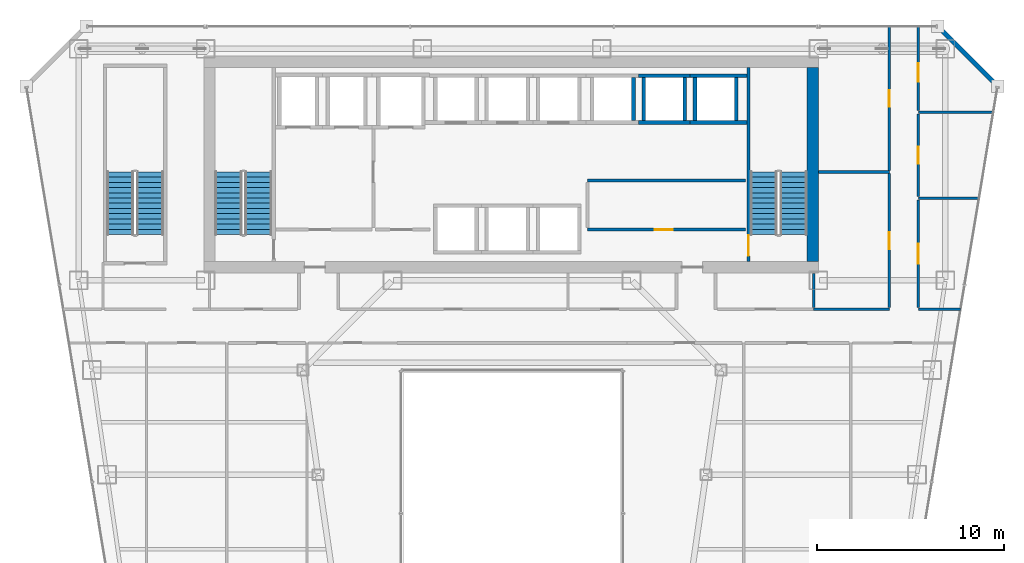
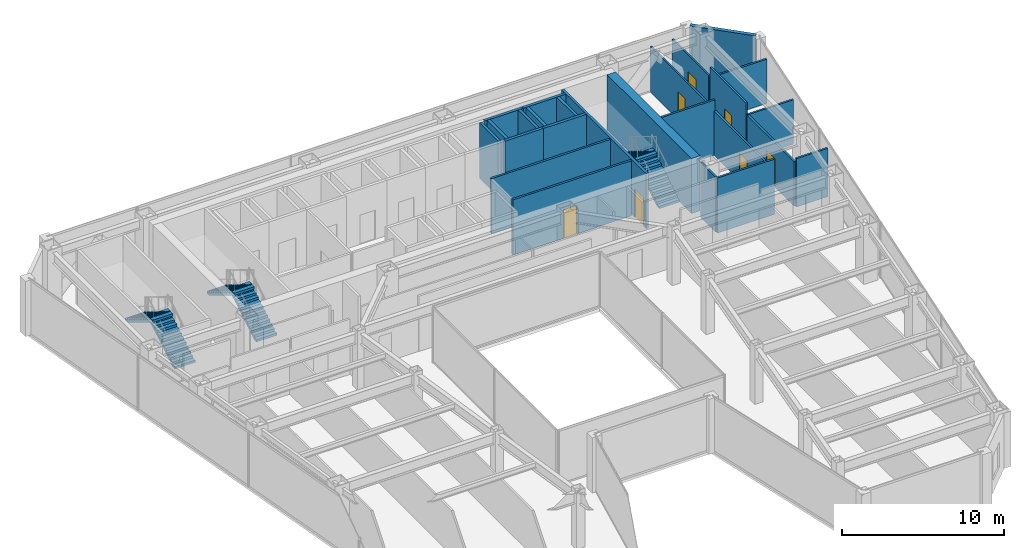
# One storey, part 34 of 37: 25 walls, 7 doors, 6 stair flights, 7 openings, 3 elements without a shape of their own.
"""IFC4 building model written with IfcOpenShell, lengths in metres."""

from ifc_helpers import new_model, si_unit, direction, frame, frame_2d, origin, place, context, subcontext, project, spatial, polyline, rectangle, outline, extrude, material, layer, layer_set, type_object, element, fill, aggregate, save


model = new_model("IFC4")

# Units and contexts
model_context = context("Model", 3, precision=1e-05, world=origin(), true_north=direction((0.0, 1.0)))
body_context = subcontext(model_context, "Body", "Model", "MODEL_VIEW")
ifc_project = project(units=[si_unit("LENGTHUNIT", "METRE"), si_unit("AREAUNIT", "SQUARE_METRE"), si_unit("VOLUMEUNIT", "CUBIC_METRE"), si_unit("PLANEANGLEUNIT", "RADIAN"), si_unit("MASSUNIT", "GRAM", prefix="KILO")], contexts=[model_context])

# Site, building, storey
site_placement = place(None, origin())
site = spatial("IfcSite", under=ifc_project, at=site_placement, CompositionType="ELEMENT")
building_placement = place(site_placement, origin())
building = spatial("IfcBuilding", under=site, at=building_placement, Name="Saevonmaru Cultural Tower", CompositionType="ELEMENT")
storey_placement = place(building_placement, frame((0.0, 0.0, 114.800048828125)))
storey = spatial("IfcBuildingStorey", under=building, at=storey_placement, Name="L24", CompositionType="ELEMENT", Elevation=114.800048828125)

# Wall
ifc_material_1 = material(Name="Concrete C60/75", Category="concrete")
ifc_layer_1 = layer(ifc_material_1, 0.60009765625, Name="Concrete C60/75")
ifc_layer_set_1 = layer_set([ifc_layer_1], Name="Concrete C60/75")
wall_type_1 = type_object("IfcWallType", Name="WL-CORE-600", PredefinedType="SHEAR", material=ifc_layer_set_1)
wall_1_placement = place(storey_placement, frame((46.10009765625, 43.39990234375, 0.0), z_axis=(0.0, 0.0, 1.0), x_axis=(0.0, 1.0, 0.0)))
element("IfcWall", 1, at=wall_1_placement, inside=storey, type_object=wall_type_1, Name="L24 Tower RC core shear wall E", PredefinedType="SHEAR", context=body_context, shape_type="SweptSolid", body=[
    extrude(rectangle(XDim=10.400146484375, YDim=0.60009765625, at=frame_2d((5.2001953125, 0.0))), origin(), (0.0, 0.0, 1.0), 4.14990234375),
])

# Wall, opening, door
ifc_material_2 = material(Name="Gypsum Fireboard Partition", Category="gypsum")
ifc_layer_2 = layer(ifc_material_2, 0.14990234375, Name="Gypsum Fireboard Partition")
ifc_layer_set_2 = layer_set([ifc_layer_2], Name="Gypsum Fireboard Partition")
wall_type_2 = type_object("IfcWallType", Name="WL-CORE-PART-150", PredefinedType="PARTITIONING", material=ifc_layer_set_2)
wall_2_placement = place(storey_placement, frame((34.050048828125, 45.1201171875, 0.0), z_axis=(0.0, 0.0, 1.0), x_axis=(1.0, 0.0, 0.0)))
wall_2 = element("IfcWall", 2, at=wall_2_placement, inside=storey, type_object=wall_type_2, Name="L24 Core Service South Wall", PredefinedType="PARTITIONING", context=body_context, shape_type="SweptSolid", body=[
    extrude(rectangle(XDim=8.449951171875, YDim=0.14990234375, at=frame_2d((4.22509765625, 0.0))), origin(), (0.0, 0.0, 1.0), 4.14990234375),
])
opening_1_placement = place(wall_2_placement, frame((3.60009765625, 0.0, 0.0)))
opening_1 = element("IfcOpeningElement", 3, at=opening_1_placement, cuts=wall_2, Name="Opening FD-4", PredefinedType="OPENING", context=body_context, shape_type="SweptSolid", body=[
    extrude(rectangle(XDim=0.949951171875, YDim=2.14990234375, at=frame_2d((0.47509765625, 1.074951171875))), frame((0.0, 0.0849609375, 0.0), z_axis=(0.0, -1.0, 0.0), x_axis=(1.0, 0.0, 0.0)), (0.0, 0.0, 1.0), 0.169921875),
])
ifc_material_3 = material(Name="Satin Bronze Anodised Aluminium", Category="aluminium")
door_type_1 = type_object("IfcDoorType", Name="DR-FD60-950", OperationType="SINGLE_SWING_LEFT", PredefinedType="DOOR", material=ifc_material_3)
door_1_placement = place(opening_1_placement, origin())
door_1 = element("IfcDoor", 4, at=door_1_placement, inside=storey, type_object=door_type_1, Name="L24 Telecom Riser Plant Door", OperationType="SINGLE_SWING_LEFT", OverallHeight=2.14990234375, OverallWidth=0.949951171875, PredefinedType="DOOR", context=body_context, shape_type="SweptSolid", body=[
    extrude(rectangle(XDim=0.949951171875, YDim=2.14990234375, at=frame_2d((0.47509765625, 1.074951171875))), frame((0.0, 0.02490234375, 0.0), z_axis=(0.0, -1.0, 0.0), x_axis=(1.0, 0.0, 0.0)), (0.0, 0.0, 1.0), 0.050048828125),
])
fill(opening_1, door_1)

# Walls
wall_3_placement = place(storey_placement, frame((34.050048828125, 47.75, 0.0), z_axis=(0.0, 0.0, 1.0), x_axis=(1.0, 0.0, 0.0)))
element("IfcWall", 5, at=wall_3_placement, inside=storey, type_object=wall_type_2, Name="L24 Core Service North Wall", PredefinedType="PARTITIONING", context=body_context, shape_type="SweptSolid", body=[
    extrude(rectangle(XDim=8.449951171875, YDim=0.14990234375, at=frame_2d((4.22509765625, 0.0))), origin(), (0.0, 0.0, 1.0), 4.14990234375),
])
ifc_material_4 = material(Name="Granite-Clad Precast Concrete C40/50", Category="masonry")
ifc_layer_3 = layer(ifc_material_4, 0.260009765625, Name="Granite-Clad Precast Concrete C40/50")
ifc_layer_set_3 = layer_set([ifc_layer_3], Name="Granite-Clad Precast Concrete C40/50")
wall_type_3 = type_object("IfcWallType", Name="WL-EXT-SPANDREL-260", PredefinedType="STANDARD", material=ifc_layer_set_3)
wall_4_placement = place(storey_placement, frame((55.886962890625, 52.9130859375, 0.0), z_axis=(0.0, 0.0, 1.0), x_axis=(-0.707106781187, 0.707106781187, 0.0)))
element("IfcWall", 6, at=wall_4_placement, inside=storey, type_object=wall_type_3, Name="L24 Chamfer Corner Spandrel Wall E9", PredefinedType="STANDARD", context=body_context, shape_type="SweptSolid", body=[
    extrude(rectangle(XDim=4.205810546875, YDim=0.260009765625, at=frame_2d((2.10302734375, 0.0))), origin(), (0.0, 0.0, 1.0), 4.14990234375),
])

# Wall, opening, door
ifc_layer_4 = layer(ifc_material_2, 0.14990234375, Name="Gypsum Fireboard Partition")
ifc_layer_set_4 = layer_set([ifc_layer_4], Name="Gypsum Fireboard Partition")
wall_type_4 = type_object("IfcWallType", Name="WL-PART-FIRE-150", PredefinedType="PARTITIONING", material=ifc_layer_set_4)
wall_5_placement = place(storey_placement, frame((51.75, 40.9375, 0.0), z_axis=(0.0, 0.0, 1.0), x_axis=(0.0, 1.0, 0.0)))
wall_5 = element("IfcWall", 7, at=wall_5_placement, inside=storey, type_object=wall_type_4, Name="L24 Contemporary Photography Gallery Corridor Wall", PredefinedType="PARTITIONING", context=body_context, shape_type="SweptSolid", body=[
    extrude(rectangle(XDim=5.77490234375, YDim=0.14990234375, at=frame_2d((2.887451171875, 0.0))), origin(), (0.0, 0.0, 1.0), 3.3349609375),
])
opening_2_placement = place(wall_5_placement, frame((2.362060546875, 0.0, 0.0)))
opening_2 = element("IfcOpeningElement", 8, at=opening_2_placement, cuts=wall_5, Name="Opening ID-1", PredefinedType="OPENING", context=body_context, shape_type="SweptSolid", body=[
    extrude(rectangle(XDim=1.050048828125, YDim=2.14990234375, at=frame_2d((0.52490234375, 1.074951171875))), frame((0.0, 0.0849609375, 0.0), z_axis=(0.0, -1.0, 0.0), x_axis=(1.0, 0.0, 0.0)), (0.0, 0.0, 1.0), 0.169921875),
])
door_type_2 = type_object("IfcDoorType", Name="DR-INT-1050", OperationType="SINGLE_SWING_LEFT", PredefinedType="DOOR", material=ifc_material_3)
door_2_placement = place(opening_2_placement, origin())
door_2 = element("IfcDoor", 9, at=door_2_placement, inside=storey, type_object=door_type_2, Name="L24 Contemporary Photography Gallery Door", OperationType="SINGLE_SWING_RIGHT", OverallHeight=2.14990234375, OverallWidth=1.050048828125, PredefinedType="DOOR", context=body_context, shape_type="SweptSolid", body=[
    extrude(rectangle(XDim=1.050048828125, YDim=2.14990234375, at=frame_2d((0.52490234375, 1.074951171875))), frame((0.0, 0.02490234375, 0.0), z_axis=(0.0, -1.0, 0.0), x_axis=(1.0, 0.0, 0.0)), (0.0, 0.0, 1.0), 0.050048828125),
])
fill(opening_2, door_2)

ifc_layer_5 = layer(ifc_material_2, 0.1201171875, Name="Gypsum Fireboard Partition")
ifc_layer_set_5 = layer_set([ifc_layer_5], Name="Gypsum Fireboard Partition")
wall_type_5 = type_object("IfcWallType", Name="WL-PART-GYP-120", PredefinedType="PARTITIONING", material=ifc_layer_set_5)
wall_6_placement = place(storey_placement, frame((50.199951171875, 48.2900390625, 0.0), z_axis=(0.0, 0.0, 1.0), x_axis=(0.0, 1.0, 0.0)))
wall_6 = element("IfcWall", 10, at=wall_6_placement, inside=storey, type_object=wall_type_5, Name="L24 Visiting Fellows Office Corridor Wall", PredefinedType="PARTITIONING", context=body_context, shape_type="SweptSolid", body=[
    extrude(rectangle(XDim=7.705078125, YDim=0.1201171875, at=frame_2d((3.8525390625, 0.0))), origin(), (0.0, 0.0, 1.0), 3.43505859375),
])
opening_3_placement = place(wall_6_placement, frame((3.402099609375, 0.0, 0.0)))
opening_3 = element("IfcOpeningElement", 11, at=opening_3_placement, cuts=wall_6, Name="Opening ID-2", PredefinedType="OPENING", context=body_context, shape_type="SweptSolid", body=[
    extrude(rectangle(XDim=0.89990234375, YDim=2.10009765625, at=frame_2d((0.449951171875, 1.050048828125))), frame((0.0, 0.070068359375, 0.0), z_axis=(0.0, -1.0, 0.0), x_axis=(1.0, 0.0, 0.0)), (0.0, 0.0, 1.0), 0.14013671875),
])
ifc_material_5 = material(Name="Acoustic Stained Oak Timber", Category="wood")
door_type_3 = type_object("IfcDoorType", Name="DR-INT-900", OperationType="SINGLE_SWING_RIGHT", PredefinedType="DOOR", material=ifc_material_5)
door_3_placement = place(opening_3_placement, origin())
door_3 = element("IfcDoor", 12, at=door_3_placement, inside=storey, type_object=door_type_3, Name="L24 Visiting Fellows Office Door", OperationType="SINGLE_SWING_LEFT", OverallHeight=2.10009765625, OverallWidth=0.89990234375, PredefinedType="DOOR", context=body_context, shape_type="SweptSolid", body=[
    extrude(rectangle(XDim=0.89990234375, YDim=2.10009765625, at=frame_2d((0.449951171875, 1.050048828125))), frame((0.0, 0.02490234375, 0.0), z_axis=(0.0, -1.0, 0.0), x_axis=(1.0, 0.0, 0.0)), (0.0, 0.0, 1.0), 0.050048828125),
])
fill(opening_3, door_3)

wall_7_placement = place(storey_placement, frame((51.75, 46.887451171875, 0.0), z_axis=(0.0, 0.0, 1.0), x_axis=(0.0, 1.0, 0.0)))
wall_7 = element("IfcWall", 13, at=wall_7_placement, inside=storey, type_object=wall_type_5, Name="L24 Digital Media Classroom Corridor Wall", PredefinedType="PARTITIONING", context=body_context, shape_type="SweptSolid", body=[
    extrude(rectangle(XDim=4.425048828125, YDim=0.1201171875, at=frame_2d((2.21240234375, 0.0))), origin(), (0.0, 0.0, 1.0), 4.14990234375),
])
opening_4_placement = place(wall_7_placement, frame((1.761962890625, 0.0, 0.0)))
opening_4 = element("IfcOpeningElement", 14, at=opening_4_placement, cuts=wall_7, Name="Opening ID-2", PredefinedType="OPENING", context=body_context, shape_type="SweptSolid", body=[
    extrude(rectangle(XDim=0.89990234375, YDim=2.10009765625, at=frame_2d((0.449951171875, 1.050048828125))), frame((0.0, 0.070068359375, 0.0), z_axis=(0.0, -1.0, 0.0), x_axis=(1.0, 0.0, 0.0)), (0.0, 0.0, 1.0), 0.14013671875),
])
door_4_placement = place(opening_4_placement, origin())
door_4 = element("IfcDoor", 15, at=door_4_placement, inside=storey, type_object=door_type_3, Name="L24 Digital Media Classroom Door", OperationType="SINGLE_SWING_LEFT", OverallHeight=2.10009765625, OverallWidth=0.89990234375, PredefinedType="DOOR", context=body_context, shape_type="SweptSolid", body=[
    extrude(rectangle(XDim=0.89990234375, YDim=2.10009765625, at=frame_2d((0.449951171875, 1.050048828125))), frame((0.0, 0.02490234375, 0.0), z_axis=(0.0, -1.0, 0.0), x_axis=(1.0, 0.0, 0.0)), (0.0, 0.0, 1.0), 0.050048828125),
])
fill(opening_4, door_4)

wall_8_placement = place(storey_placement, frame((51.75, 51.487548828125, 0.0), z_axis=(0.0, 0.0, 1.0), x_axis=(0.0, 1.0, 0.0)))
wall_8 = element("IfcWall", 16, at=wall_8_placement, inside=storey, type_object=wall_type_5, Name="L24 Horizon Espresso Cafe Corridor Wall", PredefinedType="PARTITIONING", context=body_context, shape_type="SweptSolid", body=[
    extrude(rectangle(XDim=4.507568359375, YDim=0.1201171875, at=frame_2d((2.25390625, 0.0))), origin(), (0.0, 0.0, 1.0), 3.43505859375),
])
opening_5_placement = place(wall_8_placement, frame((1.533935546875, 0.0, 0.0)))
opening_5 = element("IfcOpeningElement", 17, at=opening_5_placement, cuts=wall_8, Name="Opening ID-1B", PredefinedType="OPENING", context=body_context, shape_type="SweptSolid", body=[
    extrude(rectangle(XDim=1.0, YDim=2.14990234375, at=frame_2d((0.5, 1.074951171875))), frame((0.0, 0.070068359375, 0.0), z_axis=(0.0, -1.0, 0.0), x_axis=(1.0, 0.0, 0.0)), (0.0, 0.0, 1.0), 0.14013671875),
])
door_type_4 = type_object("IfcDoorType", Name="DR-INT-1000", OperationType="SINGLE_SWING_RIGHT", PredefinedType="DOOR", material=ifc_material_5)
door_5_placement = place(opening_5_placement, origin())
door_5 = element("IfcDoor", 18, at=door_5_placement, inside=storey, type_object=door_type_4, Name="L24 Horizon Espresso Cafe Door", OperationType="SINGLE_SWING_RIGHT", OverallHeight=2.14990234375, OverallWidth=1.0, PredefinedType="DOOR", context=body_context, shape_type="SweptSolid", body=[
    extrude(rectangle(XDim=1.0, YDim=2.14990234375, at=frame_2d((0.5, 1.074951171875))), frame((0.0, 0.02490234375, 0.0), z_axis=(0.0, -1.0, 0.0), x_axis=(1.0, 0.0, 0.0)), (0.0, 0.0, 1.0), 0.050048828125),
])
fill(opening_5, door_5)

# Walls
ifc_layer_6 = layer(ifc_material_2, 0.135009765625, Name="Gypsum Fireboard Partition")
ifc_layer_set_6 = layer_set([ifc_layer_6], Name="Gypsum Fireboard Partition")
wall_type_6 = type_object("IfcWallType", Name="WL-PART-GYP-135", PredefinedType="PARTITIONING", material=ifc_layer_set_6)
wall_9_placement = place(storey_placement, frame((51.75, 40.85009765625, 0.0), z_axis=(0.0, 0.0, 1.0), x_axis=(1.0, 0.0, 0.0)))
element("IfcWall", 19, at=wall_9_placement, inside=storey, type_object=wall_type_6, Name="L24 NE Wing South Wall", PredefinedType="PARTITIONING", context=body_context, shape_type="SweptSolid", body=[
    extrude(rectangle(XDim=2.25830078125, YDim=0.135009765625, at=frame_2d((1.129150390625, 0.0))), origin(), (0.0, 0.0, 1.0), 3.635009765625),
])
wall_10_placement = place(storey_placement, frame((51.75, 46.800048828125, 0.0), z_axis=(0.0, 0.0, 1.0), x_axis=(1.0, 0.0, 0.0)))
element("IfcWall", 20, at=wall_10_placement, inside=storey, type_object=wall_type_6, Name="L24 NE Studio Divider 1", PredefinedType="PARTITIONING", context=body_context, shape_type="SweptSolid", body=[
    extrude(rectangle(XDim=3.247314453125, YDim=0.135009765625, at=frame_2d((1.62353515625, 0.0))), origin(), (0.0, 0.0, 1.0), 3.3349609375),
])
wall_11_placement = place(storey_placement, frame((51.75, 51.39990234375, 0.0), z_axis=(0.0, 0.0, 1.0), x_axis=(1.0, 0.0, 0.0)))
element("IfcWall", 21, at=wall_11_placement, inside=storey, type_object=wall_type_6, Name="L24 NE Studio Divider 2", PredefinedType="PARTITIONING", context=body_context, shape_type="SweptSolid", body=[
    extrude(rectangle(XDim=4.01220703125, YDim=0.135009765625, at=frame_2d((2.006103515625, 0.0))), origin(), (0.0, 0.0, 1.0), 3.3349609375),
])
ifc_layer_7 = layer(ifc_material_2, 0.139892578125, Name="Gypsum Fireboard Partition")
ifc_layer_set_7 = layer_set([ifc_layer_7], Name="Gypsum Fireboard Partition")
wall_type_7 = type_object("IfcWallType", Name="WL-PART-WET-140", PredefinedType="PARTITIONING", material=ifc_layer_set_7)
wall_12_placement = place(storey_placement, frame((46.14990234375, 40.85009765625, 0.0), z_axis=(0.0, 0.0, 1.0), x_axis=(1.0, 0.0, 0.0)))
element("IfcWall", 22, at=wall_12_placement, inside=storey, type_object=wall_type_7, Name="L24 Washroom South Wall", PredefinedType="PARTITIONING", context=body_context, shape_type="SweptSolid", body=[
    extrude(rectangle(XDim=4.050048828125, YDim=0.139892578125, at=frame_2d((2.02490234375, 0.0))), origin(), (0.0, 0.0, 1.0), 4.14990234375),
])
wall_13_placement = place(storey_placement, frame((46.14990234375, 40.93994140625, 0.0), z_axis=(0.0, 0.0, 1.0), x_axis=(0.0, 1.0, 0.0)))
element("IfcWall", 23, at=wall_13_placement, inside=storey, type_object=wall_type_7, Name="L24 Washroom South-West Return", PredefinedType="PARTITIONING", context=body_context, shape_type="SweptSolid", body=[
    extrude(rectangle(XDim=1.840087890625, YDim=0.139892578125, at=frame_2d((0.919921875, 0.0))), origin(), (0.0, 0.0, 1.0), 4.14990234375),
])
wall_14_placement = place(storey_placement, frame((46.419921875, 48.199951171875, 0.0), z_axis=(0.0, 0.0, 1.0), x_axis=(1.0, 0.0, 0.0)))
element("IfcWall", 24, at=wall_14_placement, inside=storey, type_object=wall_type_7, Name="L24 Washroom North Wall", PredefinedType="PARTITIONING", context=body_context, shape_type="SweptSolid", body=[
    extrude(rectangle(XDim=3.780029296875, YDim=0.139892578125, at=frame_2d((1.89013671875, 0.0))), origin(), (0.0, 0.0, 1.0), 4.14990234375),
])

# Wall, opening, door
wall_15_placement = place(storey_placement, frame((50.199951171875, 40.93994140625, 0.0), z_axis=(0.0, 0.0, 1.0), x_axis=(0.0, 1.0, 0.0)))
wall_15 = element("IfcWall", 25, at=wall_15_placement, inside=storey, type_object=wall_type_7, Name="L24 Washroom Corridor Wall", PredefinedType="PARTITIONING", context=body_context, shape_type="SweptSolid", body=[
    extrude(rectangle(XDim=7.170166015625, YDim=0.139892578125, at=frame_2d((3.5849609375, 0.0))), origin(), (0.0, 0.0, 1.0), 3.3349609375),
])
opening_6_placement = place(wall_15_placement, frame((3.135009765625, 0.0, 0.0)))
opening_6 = element("IfcOpeningElement", 26, at=opening_6_placement, cuts=wall_15, Name="Opening ID-2", PredefinedType="OPENING", context=body_context, shape_type="SweptSolid", body=[
    extrude(rectangle(XDim=0.89990234375, YDim=2.10009765625, at=frame_2d((0.449951171875, 1.050048828125))), frame((0.0, 0.080078125, 0.0), z_axis=(0.0, -1.0, 0.0), x_axis=(1.0, 0.0, 0.0)), (0.0, 0.0, 1.0), 0.159912109375),
])
door_6_placement = place(opening_6_placement, origin())
door_6 = element("IfcDoor", 27, at=door_6_placement, inside=storey, type_object=door_type_3, Name="L24 Public Accessible Washrooms Door", OperationType="SINGLE_SWING_RIGHT", OverallHeight=2.10009765625, OverallWidth=0.89990234375, PredefinedType="DOOR", context=body_context, shape_type="SweptSolid", body=[
    extrude(rectangle(XDim=0.89990234375, YDim=2.10009765625, at=frame_2d((0.449951171875, 1.050048828125))), frame((0.0, 0.02490234375, 0.0), z_axis=(0.0, -1.0, 0.0), x_axis=(1.0, 0.0, 0.0)), (0.0, 0.0, 1.0), 0.050048828125),
])
fill(opening_6, door_6)

# Walls
ifc_material_6 = material(Name="Concrete C40/50", Category="concrete")
ifc_layer_8 = layer(ifc_material_6, 0.199951171875, Name="Concrete C40/50")
ifc_layer_set_8 = layer_set([ifc_layer_8], Name="Concrete C40/50")
wall_type_8 = type_object("IfcWallType", Name="WL-SHAFT-200", PredefinedType="SHEAR", material=ifc_layer_set_8)
wall_16_placement = place(storey_placement, frame((36.5, 50.949951171875, 0.0), z_axis=(0.0, 0.0, 1.0), x_axis=(0.0, 1.0, 0.0)))
element("IfcWall", 28, at=wall_16_placement, inside=storey, type_object=wall_type_8, Name="L24 Lift PL-H1 Hoistway Wall E", PredefinedType="SHEAR", context=body_context, shape_type="SweptSolid", body=[
    extrude(rectangle(XDim=2.300048828125, YDim=0.199951171875, at=frame_2d((1.14990234375, 0.0))), origin(), (0.0, 0.0, 1.0), 4.14990234375),
])
for number, where, z_axis, x_axis, name in (
    (29, (36.77490234375, 50.85009765625, 0.0), (0.0, 0.0, 1.0), (1.0, 0.0, 0.0), "L24 Lift PL-H2 Hoistway Wall S"),
    (30, (36.77490234375, 53.35009765625, 0.0), (0.0, 0.0, 1.0), (1.0, 0.0, 0.0), "L24 Lift PL-H2 Hoistway Wall N"),
):
    element("IfcWall", number, at=place(storey_placement, frame(where, z_axis=z_axis, x_axis=x_axis)), inside=storey, type_object=wall_type_8, Name=name, PredefinedType="SHEAR", context=body_context, shape_type="SweptSolid", body=[
        extrude(rectangle(XDim=2.75, YDim=0.199951171875, at=frame_2d((1.375, 0.0))), origin(), (0.0, 0.0, 1.0), 4.14990234375),
    ])
for number, where, z_axis, x_axis, name in (
    (31, (37.050048828125, 50.949951171875, 0.0), (0.0, 0.0, 1.0), (0.0, 1.0, 0.0), "L24 Lift PL-H2 Hoistway Wall W"),
    (32, (39.25, 50.949951171875, 0.0), (0.0, 0.0, 1.0), (0.0, 1.0, 0.0), "L24 Lift PL-H2 Hoistway Wall E"),
):
    element("IfcWall", number, at=place(storey_placement, frame(where, z_axis=z_axis, x_axis=x_axis)), inside=storey, type_object=wall_type_8, Name=name, PredefinedType="SHEAR", context=body_context, shape_type="SweptSolid", body=[
        extrude(rectangle(XDim=2.300048828125, YDim=0.199951171875, at=frame_2d((1.14990234375, 0.0))), origin(), (0.0, 0.0, 1.0), 4.14990234375),
    ])
for number, where, z_axis, x_axis, name in (
    (33, (39.52490234375, 50.85009765625, 0.0), (0.0, 0.0, 1.0), (1.0, 0.0, 0.0), "L24 Lift PL-H3 Hoistway Wall S"),
    (34, (39.52490234375, 53.35009765625, 0.0), (0.0, 0.0, 1.0), (1.0, 0.0, 0.0), "L24 Lift PL-H3 Hoistway Wall N"),
):
    element("IfcWall", number, at=place(storey_placement, frame(where, z_axis=z_axis, x_axis=x_axis)), inside=storey, type_object=wall_type_8, Name=name, PredefinedType="SHEAR", context=body_context, shape_type="SweptSolid", body=[
        extrude(rectangle(XDim=3.045166015625, YDim=0.199951171875, at=frame_2d((1.5224609375, 0.0))), origin(), (0.0, 0.0, 1.0), 4.14990234375),
    ])
for number, where, z_axis, x_axis, name in (
    (35, (39.800048828125, 50.949951171875, 0.0), (0.0, 0.0, 1.0), (0.0, 1.0, 0.0), "L24 Lift PL-H3 Hoistway Wall W"),
    (36, (42.0, 50.949951171875, 0.0), (0.0, 0.0, 1.0), (0.0, 1.0, 0.0), "L24 Lift PL-H3 Hoistway Wall E"),
):
    element("IfcWall", number, at=place(storey_placement, frame(where, z_axis=z_axis, x_axis=x_axis)), inside=storey, type_object=wall_type_8, Name=name, PredefinedType="SHEAR", context=body_context, shape_type="SweptSolid", body=[
        extrude(rectangle(XDim=2.300048828125, YDim=0.199951171875, at=frame_2d((1.14990234375, 0.0))), origin(), (0.0, 0.0, 1.0), 4.14990234375),
    ])

# Wall, opening, door
ifc_layer_9 = layer(ifc_material_6, 0.179931640625, Name="Concrete C40/50")
ifc_layer_set_9 = layer_set([ifc_layer_9], Name="Concrete C40/50")
wall_type_9 = type_object("IfcWallType", Name="WL-STSHAFT-180", PredefinedType="SHEAR", material=ifc_layer_set_9)
wall_17_placement = place(storey_placement, frame((42.659912109375, 53.800048828125, 0.0), z_axis=(0.0, 0.0, 1.0), x_axis=(0.0, -1.0, 0.0)))
wall_17 = element("IfcWall", 37, at=wall_17_placement, inside=storey, type_object=wall_type_9, Name="L24 Stair ST-2 Structural Shaft Wall 1", PredefinedType="SHEAR", context=body_context, shape_type="SweptSolid", body=[
    extrude(rectangle(XDim=10.400146484375, YDim=0.179931640625, at=frame_2d((5.2001953125, 0.0))), origin(), (0.0, 0.0, 1.0), 4.14990234375),
])
opening_7_placement = place(wall_17_placement, frame((8.989990234375, 0.0, 0.0)))
opening_7 = element("IfcOpeningElement", 38, at=opening_7_placement, cuts=wall_17, Name="Opening FD-2", PredefinedType="OPENING", context=body_context, shape_type="SweptSolid", body=[
    extrude(rectangle(XDim=1.10009765625, YDim=2.14990234375, at=frame_2d((0.550048828125, 1.074951171875))), frame((0.0, 0.10009765625, 0.0), z_axis=(0.0, -1.0, 0.0), x_axis=(1.0, 0.0, 0.0)), (0.0, 0.0, 1.0), 0.199951171875),
])
door_type_5 = type_object("IfcDoorType", Name="DR-FD60-1100", OperationType="SINGLE_SWING_LEFT", PredefinedType="DOOR", material=ifc_material_3)
door_7_placement = place(opening_7_placement, origin())
door_7 = element("IfcDoor", 39, at=door_7_placement, inside=storey, type_object=door_type_5, Name="L24 Protected Stair ST-2 Fire Door", OperationType="SINGLE_SWING_LEFT", OverallHeight=2.14990234375, OverallWidth=1.10009765625, PredefinedType="DOOR", context=body_context, shape_type="SweptSolid", body=[
    extrude(rectangle(XDim=1.10009765625, YDim=2.14990234375, at=frame_2d((0.550048828125, 1.074951171875))), frame((0.0, 0.02490234375, 0.0), z_axis=(0.0, -1.0, 0.0), x_axis=(1.0, 0.0, 0.0)), (0.0, 0.0, 1.0), 0.050048828125),
])
fill(opening_7, door_7)

# Stair, stair flights
stair_type = type_object("IfcStairType", Name="STR-DOGLEG-RC", PredefinedType="HALF_TURN_STAIR", material=ifc_material_6)
stair_1_placement = place(storey_placement, origin())
stair_1 = element("IfcStair", 40, at=stair_1_placement, inside=storey, type_object=stair_type, Name="L24 Protected exit stair ST-1", PredefinedType="HALF_TURN_STAIR")
ifc_material_7 = material(Name="Precast concrete C40/50", Category="concrete")
stair_flight_type = type_object("IfcStairFlightType", Name="STF-PRECAST-180", PredefinedType="STRAIGHT", material=ifc_material_7)
stair_flight_1_placement = place(storey_placement, frame((16.425048828125, 44.85009765625, 0.0), z_axis=(0.0, 0.0, 1.0), x_axis=(0.0, 1.0, 0.0)))
stair_flight_1 = element("IfcStairFlight", 41, at=stair_flight_1_placement, type_object=stair_flight_type, Name="ST-1-L24 flight 1", NumberOfRisers=13, NumberOfTreads=12, PredefinedType="STRAIGHT", RiserHeight=0.169230769, TreadLength=0.28, context=body_context, shape_type="SweptSolid", body=[
    extrude(outline(polyline([(0.0, 0.0), (0.0, 0.169189453125), (0.280029296875, 0.169189453125), (0.280029296875, 0.33837890625), (0.56005859375, 0.33837890625), (0.56005859375, 0.5078125), (0.840087890625, 0.5078125), (0.840087890625, 0.677001953125), (1.1201171875, 0.677001953125), (1.1201171875, 0.84619140625), (1.39990234375, 0.84619140625), (1.39990234375, 1.015380859375), (1.679931640625, 1.015380859375), (1.679931640625, 1.1845703125), (1.9599609375, 1.1845703125), (1.9599609375, 1.353759765625), (2.239990234375, 1.353759765625), (2.239990234375, 1.523193359375), (2.52001953125, 1.523193359375), (2.52001953125, 1.6923828125), (2.800048828125, 1.6923828125), (2.800048828125, 1.861572265625), (3.080078125, 1.861572265625), (3.080078125, 2.03076171875), (3.360107421875, 2.03076171875), (3.360107421875, 2.199951171875), (3.360107421875, 1.855712890625), (0.289794921875, 0.0), (0.0, 0.0)])), frame((0.0, 0.72509765625, 0.0), z_axis=(0.0, -1.0, 0.0), x_axis=(1.0, 0.0, 0.0)), (0.0, 0.0, 1.0), 1.449951171875),
])
stair_flight_2_placement = place(storey_placement, frame((14.824951171875, 48.2099609375, 2.199951171875), z_axis=(0.0, 0.0, 1.0), x_axis=(0.0, -1.0, 0.0)))
stair_flight_2 = element("IfcStairFlight", 42, at=stair_flight_2_placement, type_object=stair_flight_type, Name="ST-1-L24 flight 2", NumberOfRisers=13, NumberOfTreads=12, PredefinedType="STRAIGHT", RiserHeight=0.169230769, TreadLength=0.28, context=body_context, shape_type="SweptSolid", body=[
    extrude(outline(polyline([(0.0, 0.0), (0.0, 0.169189453125), (0.280029296875, 0.169189453125), (0.280029296875, 0.33837890625), (0.56005859375, 0.33837890625), (0.56005859375, 0.5078125), (0.840087890625, 0.5078125), (0.840087890625, 0.677001953125), (1.1201171875, 0.677001953125), (1.1201171875, 0.84619140625), (1.39990234375, 0.84619140625), (1.39990234375, 1.015380859375), (1.679931640625, 1.015380859375), (1.679931640625, 1.1845703125), (1.9599609375, 1.1845703125), (1.9599609375, 1.353759765625), (2.239990234375, 1.353759765625), (2.239990234375, 1.523193359375), (2.52001953125, 1.523193359375), (2.52001953125, 1.6923828125), (2.800048828125, 1.6923828125), (2.800048828125, 1.861572265625), (3.080078125, 1.861572265625), (3.080078125, 2.03076171875), (3.360107421875, 2.03076171875), (3.360107421875, 2.199951171875), (3.360107421875, 1.855712890625), (0.289794921875, 0.0), (0.0, 0.0)])), frame((0.0, 0.72509765625, 0.0), z_axis=(0.0, -1.0, 0.0), x_axis=(1.0, 0.0, 0.0)), (0.0, 0.0, 1.0), 1.449951171875),
])
aggregate(stair_1, [stair_flight_1, stair_flight_2])

stair_2_placement = place(storey_placement, origin())
stair_2 = element("IfcStair", 43, at=stair_2_placement, inside=storey, type_object=stair_type, Name="L24 Protected exit stair ST-2", PredefinedType="HALF_TURN_STAIR")
stair_flight_3_placement = place(storey_placement, frame((45.074951171875, 44.85009765625, 0.0), z_axis=(0.0, 0.0, 1.0), x_axis=(0.0, 1.0, 0.0)))
stair_flight_3 = element("IfcStairFlight", 44, at=stair_flight_3_placement, type_object=stair_flight_type, Name="ST-2-L24 flight 1", NumberOfRisers=13, NumberOfTreads=12, PredefinedType="STRAIGHT", RiserHeight=0.169230769, TreadLength=0.28, context=body_context, shape_type="SweptSolid", body=[
    extrude(outline(polyline([(0.0, 0.0), (0.0, 0.169189453125), (0.280029296875, 0.169189453125), (0.280029296875, 0.33837890625), (0.56005859375, 0.33837890625), (0.56005859375, 0.5078125), (0.840087890625, 0.5078125), (0.840087890625, 0.677001953125), (1.1201171875, 0.677001953125), (1.1201171875, 0.84619140625), (1.39990234375, 0.84619140625), (1.39990234375, 1.015380859375), (1.679931640625, 1.015380859375), (1.679931640625, 1.1845703125), (1.9599609375, 1.1845703125), (1.9599609375, 1.353759765625), (2.239990234375, 1.353759765625), (2.239990234375, 1.523193359375), (2.52001953125, 1.523193359375), (2.52001953125, 1.6923828125), (2.800048828125, 1.6923828125), (2.800048828125, 1.861572265625), (3.080078125, 1.861572265625), (3.080078125, 2.03076171875), (3.360107421875, 2.03076171875), (3.360107421875, 2.199951171875), (3.360107421875, 1.855712890625), (0.289794921875, 0.0), (0.0, 0.0)])), frame((0.0, 0.72509765625, 0.0), z_axis=(0.0, -1.0, 0.0), x_axis=(1.0, 0.0, 0.0)), (0.0, 0.0, 1.0), 1.449951171875),
])
stair_flight_4_placement = place(storey_placement, frame((43.47509765625, 48.2099609375, 2.199951171875), z_axis=(0.0, 0.0, 1.0), x_axis=(0.0, -1.0, 0.0)))
stair_flight_4 = element("IfcStairFlight", 45, at=stair_flight_4_placement, type_object=stair_flight_type, Name="ST-2-L24 flight 2", NumberOfRisers=13, NumberOfTreads=12, PredefinedType="STRAIGHT", RiserHeight=0.169230769, TreadLength=0.28, context=body_context, shape_type="SweptSolid", body=[
    extrude(outline(polyline([(0.0, 0.0), (0.0, 0.169189453125), (0.280029296875, 0.169189453125), (0.280029296875, 0.33837890625), (0.56005859375, 0.33837890625), (0.56005859375, 0.5078125), (0.840087890625, 0.5078125), (0.840087890625, 0.677001953125), (1.1201171875, 0.677001953125), (1.1201171875, 0.84619140625), (1.39990234375, 0.84619140625), (1.39990234375, 1.015380859375), (1.679931640625, 1.015380859375), (1.679931640625, 1.1845703125), (1.9599609375, 1.1845703125), (1.9599609375, 1.353759765625), (2.239990234375, 1.353759765625), (2.239990234375, 1.523193359375), (2.52001953125, 1.523193359375), (2.52001953125, 1.6923828125), (2.800048828125, 1.6923828125), (2.800048828125, 1.861572265625), (3.080078125, 1.861572265625), (3.080078125, 2.03076171875), (3.360107421875, 2.03076171875), (3.360107421875, 2.199951171875), (3.360107421875, 1.855712890625), (0.289794921875, 0.0), (0.0, 0.0)])), frame((0.0, 0.72509765625, 0.0), z_axis=(0.0, -1.0, 0.0), x_axis=(1.0, 0.0, 0.0)), (0.0, 0.0, 1.0), 1.449951171875),
])
aggregate(stair_2, [stair_flight_3, stair_flight_4])

stair_3_placement = place(storey_placement, origin())
stair_3 = element("IfcStair", 46, at=stair_3_placement, inside=storey, type_object=stair_type, Name="L24 Protected exit stair ST-3", PredefinedType="HALF_TURN_STAIR")
stair_flight_5_placement = place(storey_placement, frame((10.625, 44.85009765625, 0.0), z_axis=(0.0, 0.0, 1.0), x_axis=(0.0, 1.0, 0.0)))
stair_flight_5 = element("IfcStairFlight", 47, at=stair_flight_5_placement, type_object=stair_flight_type, Name="ST-3-L24 flight 1", NumberOfRisers=13, NumberOfTreads=12, PredefinedType="STRAIGHT", RiserHeight=0.169230769, TreadLength=0.28, context=body_context, shape_type="SweptSolid", body=[
    extrude(outline(polyline([(0.0, 0.0), (0.0, 0.169189453125), (0.280029296875, 0.169189453125), (0.280029296875, 0.33837890625), (0.56005859375, 0.33837890625), (0.56005859375, 0.5078125), (0.840087890625, 0.5078125), (0.840087890625, 0.677001953125), (1.1201171875, 0.677001953125), (1.1201171875, 0.84619140625), (1.39990234375, 0.84619140625), (1.39990234375, 1.015380859375), (1.679931640625, 1.015380859375), (1.679931640625, 1.1845703125), (1.9599609375, 1.1845703125), (1.9599609375, 1.353759765625), (2.239990234375, 1.353759765625), (2.239990234375, 1.523193359375), (2.52001953125, 1.523193359375), (2.52001953125, 1.6923828125), (2.800048828125, 1.6923828125), (2.800048828125, 1.861572265625), (3.080078125, 1.861572265625), (3.080078125, 2.03076171875), (3.360107421875, 2.03076171875), (3.360107421875, 2.199951171875), (3.360107421875, 1.855712890625), (0.289794921875, 0.0), (0.0, 0.0)])), frame((0.0, 0.72509765625, 0.0), z_axis=(0.0, -1.0, 0.0), x_axis=(1.0, 0.0, 0.0)), (0.0, 0.0, 1.0), 1.449951171875),
])
stair_flight_6_placement = place(storey_placement, frame((9.02490234375, 48.2099609375, 2.199951171875), z_axis=(0.0, 0.0, 1.0), x_axis=(0.0, -1.0, 0.0)))
stair_flight_6 = element("IfcStairFlight", 48, at=stair_flight_6_placement, type_object=stair_flight_type, Name="ST-3-L24 flight 2", NumberOfRisers=13, NumberOfTreads=12, PredefinedType="STRAIGHT", RiserHeight=0.169230769, TreadLength=0.28, context=body_context, shape_type="SweptSolid", body=[
    extrude(outline(polyline([(0.0, 0.0), (0.0, 0.169189453125), (0.280029296875, 0.169189453125), (0.280029296875, 0.33837890625), (0.56005859375, 0.33837890625), (0.56005859375, 0.5078125), (0.840087890625, 0.5078125), (0.840087890625, 0.677001953125), (1.1201171875, 0.677001953125), (1.1201171875, 0.84619140625), (1.39990234375, 0.84619140625), (1.39990234375, 1.015380859375), (1.679931640625, 1.015380859375), (1.679931640625, 1.1845703125), (1.9599609375, 1.1845703125), (1.9599609375, 1.353759765625), (2.239990234375, 1.353759765625), (2.239990234375, 1.523193359375), (2.52001953125, 1.523193359375), (2.52001953125, 1.6923828125), (2.800048828125, 1.6923828125), (2.800048828125, 1.861572265625), (3.080078125, 1.861572265625), (3.080078125, 2.03076171875), (3.360107421875, 2.03076171875), (3.360107421875, 2.199951171875), (3.360107421875, 1.855712890625), (0.289794921875, 0.0), (0.0, 0.0)])), frame((0.0, 0.72509765625, 0.0), z_axis=(0.0, -1.0, 0.0), x_axis=(1.0, 0.0, 0.0)), (0.0, 0.0, 1.0), 1.449951171875),
])
aggregate(stair_3, [stair_flight_5, stair_flight_6])

save(model, "model.ifc")
